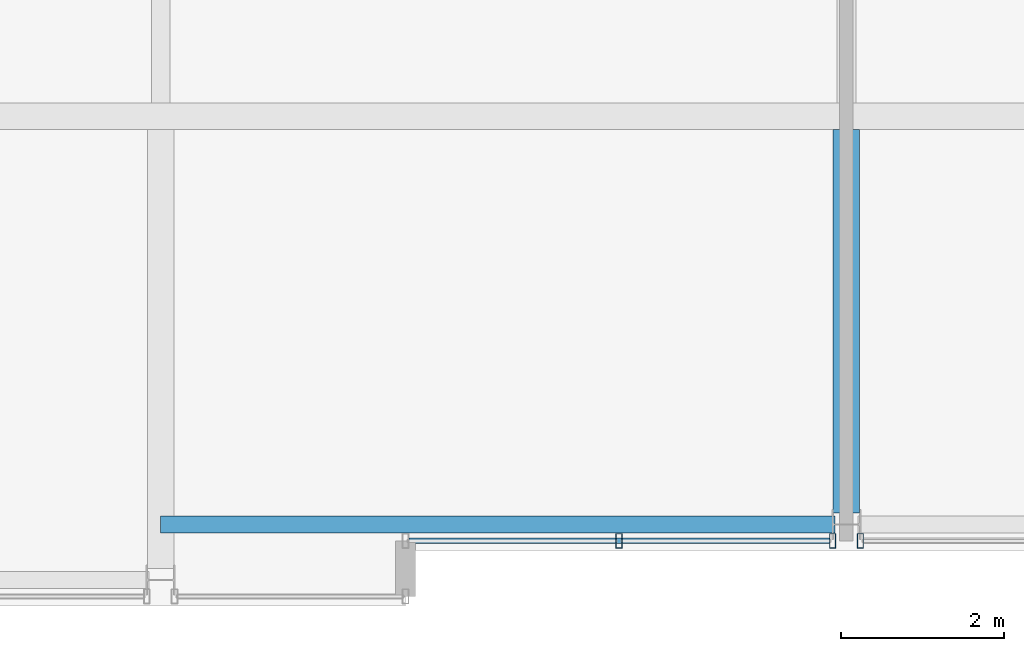
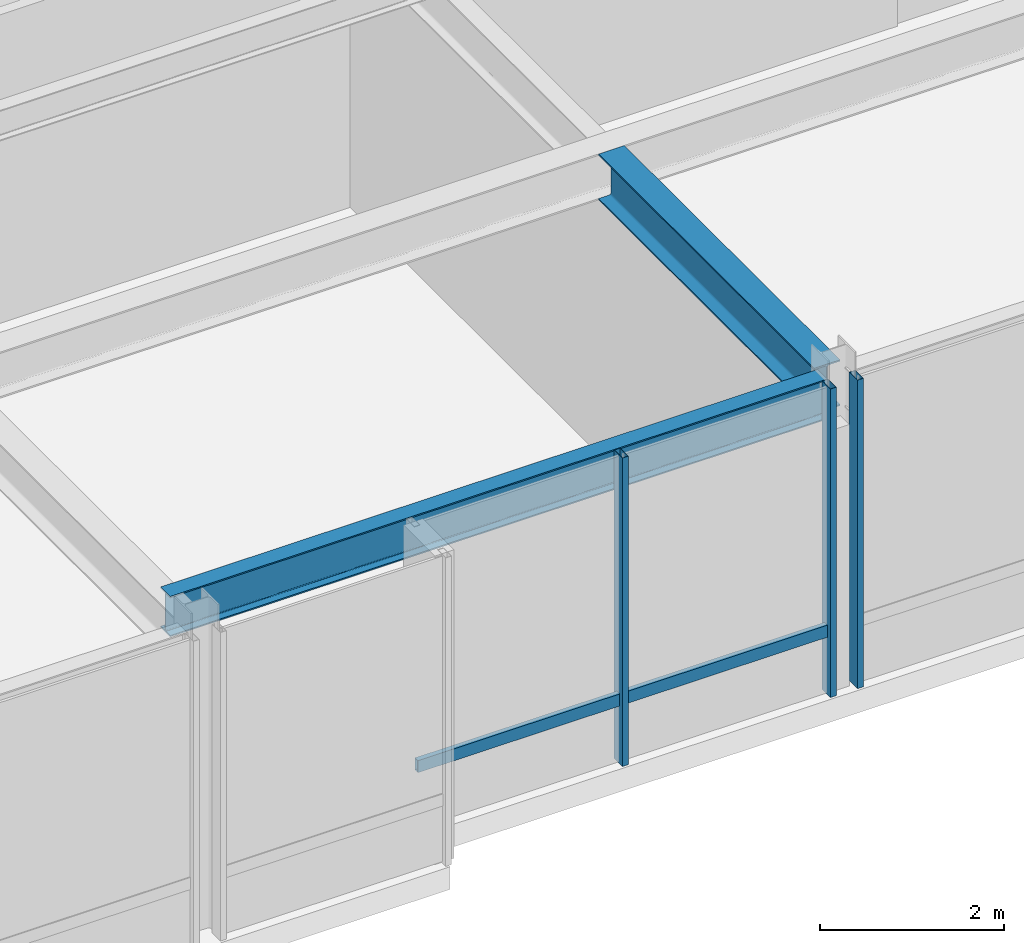
# One storey, part 8 of 34: 4 members, 2 beams, 2 elements without a shape of their own.
"""IFC4 building model written with IfcOpenShell, lengths in metres."""

from ifc_helpers import new_model, si_unit, direction, frame, origin, origin_2d, place, context, subcontext, project, spatial, hollow_rectangle, i_section, extrude, material, layer, layer_set, material_profile, profile_set, type_object, element, aggregate, save


model = new_model("IFC4")

# Units and contexts
model_context = context("Model", 3, precision=1e-05, world=origin(), true_north=direction((0.0, 1.0)))
body_context = subcontext(model_context, "Body", "Model", "MODEL_VIEW")
ifc_project = project(units=[si_unit("LENGTHUNIT", "METRE"), si_unit("AREAUNIT", "SQUARE_METRE"), si_unit("VOLUMEUNIT", "CUBIC_METRE"), si_unit("PLANEANGLEUNIT", "RADIAN"), si_unit("MASSUNIT", "GRAM", prefix="KILO")], contexts=[model_context])

# Site, building, storey
site_placement = place(None, origin())
site = spatial("IfcSite", under=ifc_project, at=site_placement, CompositionType="ELEMENT")
building_placement = place(site_placement, origin())
building = spatial("IfcBuilding", under=site, at=building_placement, Name="Drelvath Grand Hotel", CompositionType="ELEMENT")
storey_placement = place(building_placement, frame((0.0, 0.0, 294.199951171875)))
storey = spatial("IfcBuildingStorey", under=building, at=storey_placement, Name="L77", CompositionType="ELEMENT", Elevation=294.199951171875)

# Curtain wall, members
ifc_material_1 = material(Name="Platinum-Mist Anodised Aluminium Frame", Category="aluminium")
ifc_layer = layer(ifc_material_1, 0.199951171875)
ifc_layer_set = layer_set([ifc_layer], Name="Platinum-Mist Anodised Aluminium Frame")
curtain_wall_type = type_object("IfcCurtainWallType", Name="Stick Curtain Wall CW-05 Platinum Mist High-Rise", PredefinedType="NOTDEFINED", material=ifc_layer_set)
curtain_wall_1_placement = place(storey_placement, origin())
curtain_wall_1 = element("IfcCurtainWall", 1, at=curtain_wall_1_placement, inside=storey, type_object=curtain_wall_type, Name="L77 CW-05 Curtain Wall CW05-L77-SM1", PredefinedType="NOTDEFINED")
ifc_material_profile_1 = material_profile(ifc_material_1, hollow_rectangle(XDim=0.06494140625, YDim=0.159912109375, WallThickness=0.00390625, at=origin_2d()), Name="HSS160X65X4")
ifc_profile_set_1 = profile_set([ifc_material_profile_1], Name="Platinum-Mist Anodised Aluminium Frame")
member_type_1 = type_object("IfcMemberType", Name="Curtain Wall Horizontal Transom CW-05 HSS160X65X4", PredefinedType="USERDEFINED", material=ifc_profile_set_1)
member_1_placement = place(storey_placement, frame((-0.210205078125, 5.60009765625, 0.85009765625), z_axis=(-1.0, 0.0, 0.0), x_axis=(0.0, -1.0, 0.0)))
member_1 = element("IfcMember", 2, at=member_1_placement, type_object=member_type_1, Name="CW05-L77-SM1 Sill Transom", ObjectType="TRANSOM", PredefinedType="USERDEFINED", context=body_context, shape_type="SweptSolid", body=[
    extrude(hollow_rectangle(XDim=0.06494140625, YDim=0.159912109375, WallThickness=0.00390625, at=origin_2d()), origin(), (0.0, 0.0, 1.0), 5.14990234375),
])
ifc_material_profile_2 = material_profile(ifc_material_1, hollow_rectangle(XDim=0.074951171875, YDim=0.179931640625, WallThickness=0.0048828125, at=origin_2d()), Name="HSS180X75X5")
ifc_profile_set_2 = profile_set([ifc_material_profile_2], Name="Platinum-Mist Anodised Aluminium Frame")
member_type_2 = type_object("IfcMemberType", Name="Curtain Wall Vertical Mullion CW-05 HSS180X75X5", PredefinedType="MULLION", material=ifc_profile_set_2)
member_2_placement = place(storey_placement, frame((-0.170166015625, 5.60009765625, 0.0), z_axis=(0.0, 0.0, 1.0), x_axis=(1.0, 0.0, 0.0)))
member_2 = element("IfcMember", 3, at=member_2_placement, type_object=member_type_2, Name="CW05-L77-SM1 Mullion 1", PredefinedType="MULLION", context=body_context, shape_type="SweptSolid", body=[
    extrude(hollow_rectangle(XDim=0.074951171875, YDim=0.179931640625, WallThickness=0.0048828125, at=origin_2d()), origin(), (0.0, 0.0, 1.0), 4.10009765625),
])
member_3_placement = place(storey_placement, frame((-2.78515625, 5.60009765625, 0.0), z_axis=(0.0, 0.0, 1.0), x_axis=(1.0, 0.0, 0.0)))
member_3 = element("IfcMember", 4, at=member_3_placement, type_object=member_type_2, Name="CW05-L77-SM1 Mullion 2", PredefinedType="MULLION", context=body_context, shape_type="SweptSolid", body=[
    extrude(hollow_rectangle(XDim=0.074951171875, YDim=0.179931640625, WallThickness=0.0048828125, at=origin_2d()), origin(), (0.0, 0.0, 1.0), 4.10009765625),
])
aggregate(curtain_wall_1, [member_2, member_3, member_1])

# Curtain wall, member
curtain_wall_2_placement = place(storey_placement, origin())
curtain_wall_2 = element("IfcCurtainWall", 5, at=curtain_wall_2_placement, inside=storey, type_object=curtain_wall_type, Name="L77 CW-05 Curtain Wall CW05-L77-SM2", PredefinedType="NOTDEFINED")
member_4_placement = place(storey_placement, frame((0.170166015625, 5.60009765625, 0.0), z_axis=(0.0, 0.0, 1.0), x_axis=(1.0, 0.0, 0.0)))
member_4 = element("IfcMember", 6, at=member_4_placement, type_object=member_type_2, Name="CW05-L77-SM2 Mullion 3", PredefinedType="MULLION", context=body_context, shape_type="SweptSolid", body=[
    extrude(hollow_rectangle(XDim=0.074951171875, YDim=0.179931640625, WallThickness=0.0048828125, at=origin_2d()), origin(), (0.0, 0.0, 1.0), 4.10009765625),
])
aggregate(curtain_wall_2, [member_4])

# Beams
ifc_material_2 = material(Name="Steel ASTM A992 Gr 50", Category="steel")
ifc_material_profile_3 = material_profile(ifc_material_2, i_section(OverallWidth=0.210205078125, OverallDepth=0.53662109375, WebThickness=0.010986328125, FlangeThickness=0.017333984375, FilletRadius=0.01806640625, at=origin_2d()), Name="W21X68")
ifc_profile_set_3 = profile_set([ifc_material_profile_3], Name="Steel ASTM A992 Gr 50")
beam_type_1 = type_object("IfcBeamType", Name="Perimeter Spandrel Beam W21X68", PredefinedType="SPANDREL", material=ifc_profile_set_3)
beam_1_placement = place(storey_placement, frame((-8.39990234375, 5.800048828125, 3.831787109375), z_axis=(1.0, 0.0, 0.0), x_axis=(0.0, 1.0, 0.0)))
element("IfcBeam", 7, at=beam_1_placement, inside=storey, type_object=beam_type_1, Name="L77 Spandrel South Mid W", PredefinedType="SPANDREL", context=body_context, shape_type="SweptSolid", body=[
    extrude(i_section(OverallWidth=0.210205078125, OverallDepth=0.53662109375, WebThickness=0.010986328125, FlangeThickness=0.017333984375, FilletRadius=0.01806640625, at=origin_2d()), origin(), (0.0, 0.0, 1.0), 8.260009765625),
])
ifc_material_profile_4 = material_profile(ifc_material_2, i_section(OverallWidth=0.323974609375, OverallDepth=0.611083984375, WebThickness=0.0126953125, FlangeThickness=0.01904296875, FilletRadius=0.02197265625, at=origin_2d()), Name="W24X104")
ifc_profile_set_4 = profile_set([ifc_material_profile_4], Name="Steel ASTM A992 Gr 50")
beam_type_2 = type_object("IfcBeamType", Name="Primary Floor Girder W24X104", PredefinedType="BEAM", material=ifc_profile_set_4)
beam_2_placement = place(storey_placement, frame((0.0, 5.93994140625, 3.79443359375), z_axis=(0.0, 1.0, 0.0), x_axis=(-1.0, 0.0, 0.0)))
element("IfcBeam", 8, at=beam_2_placement, inside=storey, type_object=beam_type_2, Name="L77 South Wing Girder 5", PredefinedType="BEAM", context=body_context, shape_type="SweptSolid", body=[
    extrude(i_section(OverallWidth=0.323974609375, OverallDepth=0.611083984375, WebThickness=0.0126953125, FlangeThickness=0.01904296875, FilletRadius=0.02197265625, at=origin_2d()), origin(), (0.0, 0.0, 1.0), 4.697998046875),
])

save(model, "model.ifc")
